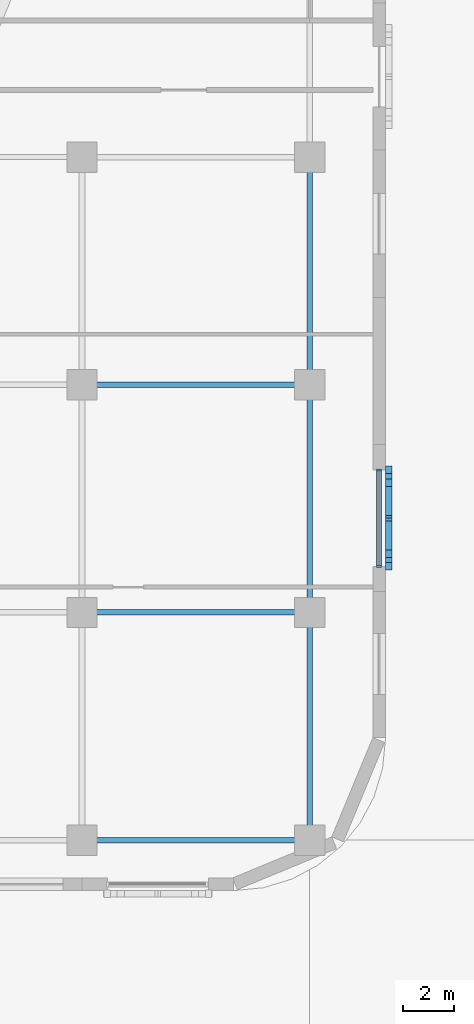
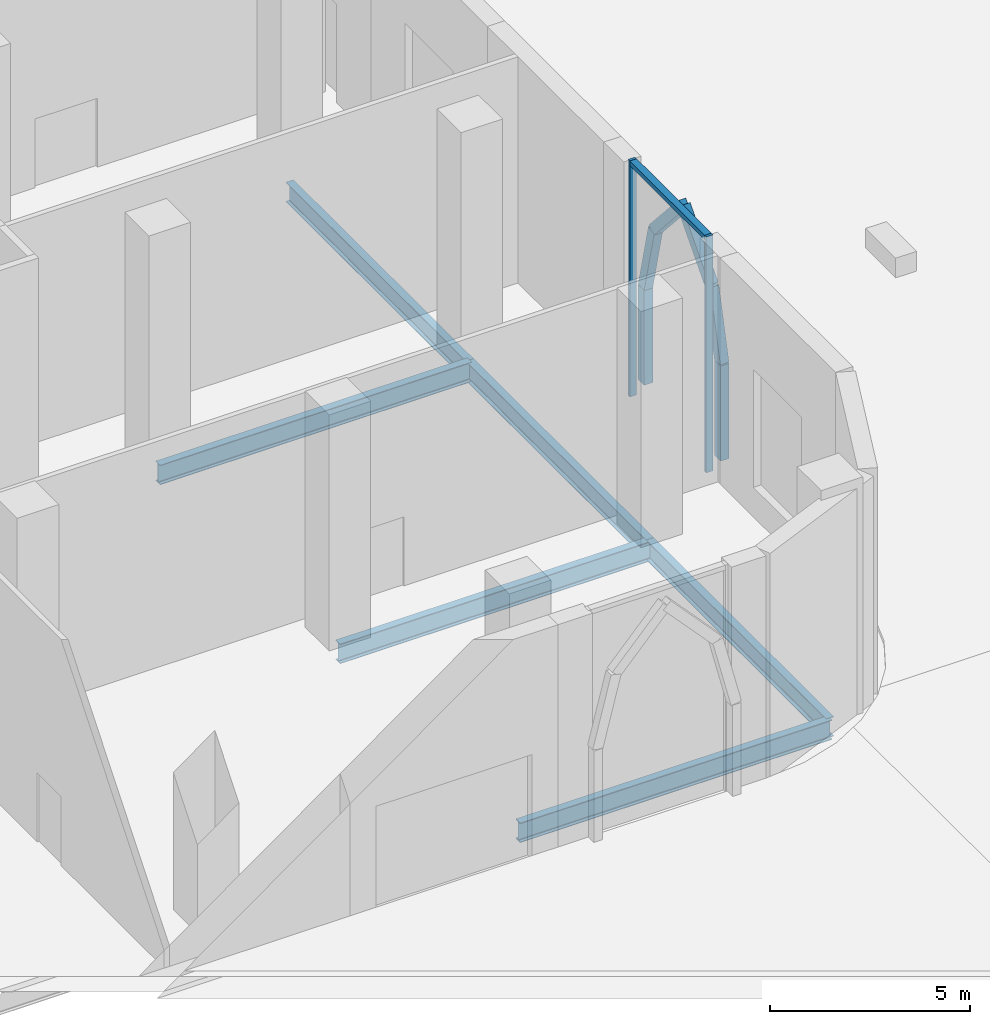
# One storey, part 13 of 48: 9 members, 6 beams, 1 element without a shape of its own.
"""IFC4 building model written with IfcOpenShell, lengths in metres."""

from ifc_helpers import new_model, si_unit, direction, frame, origin, origin_2d, place, context, subcontext, project, spatial, rectangle, i_section, extrude, material, material_profile, profile_set, type_object, element, aggregate, save


model = new_model("IFC4")

# Units and contexts
model_context = context("Model", 3, precision=1e-05, world=origin(), true_north=direction((0.0, 1.0)))
body_context = subcontext(model_context, "Body", "Model", "MODEL_VIEW")
ifc_project = project(units=[si_unit("LENGTHUNIT", "METRE"), si_unit("AREAUNIT", "SQUARE_METRE"), si_unit("VOLUMEUNIT", "CUBIC_METRE"), si_unit("PLANEANGLEUNIT", "RADIAN"), si_unit("MASSUNIT", "GRAM", prefix="KILO")], contexts=[model_context])

# Site, building, storey
site_placement = place(None, origin())
site = spatial("IfcSite", under=ifc_project, at=site_placement, CompositionType="ELEMENT")
building_placement = place(site_placement, origin())
building = spatial("IfcBuilding", under=site, at=building_placement, Name="Ogive Gate Towers", CompositionType="ELEMENT")
storey_placement = place(building_placement, origin())
storey = spatial("IfcBuildingStorey", under=building, at=storey_placement, Name="L00", CompositionType="ELEMENT", Elevation=0.0)

# Members
ifc_material_1 = material(Name="Precast concrete C40/50", Category="concrete")
ifc_material_profile_1 = material_profile(ifc_material_1, rectangle(XDim=0.25, YDim=0.300048828125, at=origin_2d()), Name="250 x 300 cast stone")
ifc_profile_set_1 = profile_set([ifc_material_profile_1], Name="Precast concrete C40/50")
member_type_1 = type_object("IfcMemberType", Name="Arch rib 250 x 300", PredefinedType="USERDEFINED", material=ifc_profile_set_1)
member_1_placement = place(storey_placement, frame((75.125, -25.181884765625, 0.0), z_axis=(0.0, 0.0, 1.0), x_axis=(1.0, 0.0, 0.0)))
element("IfcMember", 1, at=member_1_placement, inside=storey, type_object=member_type_1, Name="Arcade arch rib", ObjectType="ARCH RIB", PredefinedType="USERDEFINED", context=body_context, shape_type="SweptSolid", body=[
    extrude(rectangle(XDim=0.25, YDim=0.300048828125, at=origin_2d()), origin(), (0.0, 0.0, 1.0), 2.89990234375),
])
member_2_placement = place(storey_placement, frame((75.125, -25.181884765625, 2.89990234375), z_axis=(0.0, 0.239949903383, 0.97078527176), x_axis=(-1.0, 0.0, 0.0)))
element("IfcMember", 2, at=member_2_placement, inside=storey, type_object=member_type_1, Name="Arcade arch rib", ObjectType="ARCH RIB", PredefinedType="USERDEFINED", context=body_context, shape_type="SweptSolid", body=[
    extrude(rectangle(XDim=0.25, YDim=0.300048828125, at=origin_2d()), origin(), (0.0, 0.0, 1.0), 2.111328125),
])
member_3_placement = place(storey_placement, frame((75.125, -24.67529296875, 4.949462890625), z_axis=(0.0, 0.664428442697, 0.747351888026), x_axis=(-1.0, 0.0, 0.0)))
element("IfcMember", 3, at=member_3_placement, inside=storey, type_object=member_type_1, Name="Arcade arch rib", ObjectType="ARCH RIB", PredefinedType="USERDEFINED", context=body_context, shape_type="SweptSolid", body=[
    extrude(rectangle(XDim=0.25, YDim=0.300048828125, at=origin_2d()), origin(), (0.0, 0.0, 1.0), 2.111083984375),
])
member_4_placement = place(storey_placement, frame((75.125, -21.363525390625, 0.0), z_axis=(0.0, 0.0, 1.0), x_axis=(1.0, 0.0, 0.0)))
element("IfcMember", 4, at=member_4_placement, inside=storey, type_object=member_type_1, Name="Arcade arch rib", ObjectType="ARCH RIB", PredefinedType="USERDEFINED", context=body_context, shape_type="SweptSolid", body=[
    extrude(rectangle(XDim=0.25, YDim=0.300048828125, at=origin_2d()), origin(), (0.0, 0.0, 1.0), 2.89990234375),
])
member_5_placement = place(storey_placement, frame((75.125, -21.363525390625, 2.89990234375), z_axis=(0.0, -0.239949903383, 0.97078527176), x_axis=(1.0, 0.0, 0.0)))
element("IfcMember", 5, at=member_5_placement, inside=storey, type_object=member_type_1, Name="Arcade arch rib", ObjectType="ARCH RIB", PredefinedType="USERDEFINED", context=body_context, shape_type="SweptSolid", body=[
    extrude(rectangle(XDim=0.25, YDim=0.300048828125, at=origin_2d()), origin(), (0.0, 0.0, 1.0), 2.111328125),
])
member_6_placement = place(storey_placement, frame((75.125, -21.8701171875, 4.949462890625), z_axis=(0.0, -0.664428442697, 0.747351888026), x_axis=(1.0, 0.0, 0.0)))
element("IfcMember", 6, at=member_6_placement, inside=storey, type_object=member_type_1, Name="Arcade arch rib", ObjectType="ARCH RIB", PredefinedType="USERDEFINED", context=body_context, shape_type="SweptSolid", body=[
    extrude(rectangle(XDim=0.25, YDim=0.300048828125, at=origin_2d()), origin(), (0.0, 0.0, 1.0), 2.111083984375),
])

# Beams
ifc_material_2 = material(Name="Steel SM355", Category="steel")
ifc_material_profile_2 = material_profile(ifc_material_2, i_section(OverallWidth=0.219970703125, OverallDepth=0.60009765625, WebThickness=0.011962890625, FlangeThickness=0.01904296875, FilletRadius=0.02392578125, at=origin_2d()), Name="IPE 600")
ifc_profile_set_2 = profile_set([ifc_material_profile_2], Name="Steel SM355")
beam_type = type_object("IfcBeamType", Name="Floor beam IPE 600", PredefinedType="BEAM", material=ifc_profile_set_2)
for number, where, z_axis, x_axis, name in (
    (7, (72.0, -36.0, -0.60009765625), (0.0, 1.0, 0.0), (-1.0, 0.0, 0.0), "PD/L00/SBM065"),
    (8, (72.0, -27.0, -0.60009765625), (0.0, 1.0, 0.0), (-1.0, 0.0, 0.0), "PD/L00/SBM066"),
    (9, (72.0, -18.0, -0.60009765625), (0.0, 1.0, 0.0), (-1.0, 0.0, 0.0), "PD/L00/SBM067"),
    (10, (63.0, -36.0, -0.60009765625), (1.0, 0.0, 0.0), (0.0, 1.0, 0.0), "PD/L00/SBM088"),
    (11, (63.0, -27.0, -0.60009765625), (1.0, 0.0, 0.0), (0.0, 1.0, 0.0), "PD/L00/SBM100"),
    (12, (63.0, -18.0, -0.60009765625), (1.0, 0.0, 0.0), (0.0, 1.0, 0.0), "PD/L00/SBM108"),
):
    element("IfcBeam", number, at=place(storey_placement, frame(where, z_axis=z_axis, x_axis=x_axis)), inside=storey, type_object=beam_type, Name=name, PredefinedType="BEAM", context=body_context, shape_type="SweptSolid", body=[
        extrude(i_section(OverallWidth=0.219970703125, OverallDepth=0.60009765625, WebThickness=0.011962890625, FlangeThickness=0.01904296875, FilletRadius=0.02392578125, at=origin_2d()), origin(), (0.0, 0.0, 1.0), 9.0),
    ])

# Curtain wall, members
ifc_material_3 = material(Name="Pale metal aluminium", Category="aluminium")
curtain_wall_type = type_object("IfcCurtainWallType", Name="Podium glazing", PredefinedType="NOTDEFINED", material=ifc_material_3)
curtain_wall_placement = place(storey_placement, origin())
curtain_wall = element("IfcCurtainWall", 13, at=curtain_wall_placement, inside=storey, type_object=curtain_wall_type, Name="CW6 PD ECW01", PredefinedType="NOTDEFINED")
ifc_material_profile_3 = material_profile(ifc_material_3, rectangle(XDim=0.199951171875, YDim=0.080078125, at=origin_2d()), Name="80 x 200 aluminium box")
ifc_profile_set_3 = profile_set([ifc_material_profile_3], Name="Pale metal aluminium")
member_type_2 = type_object("IfcMemberType", Name="Podium glazing mullion 80 x 200", PredefinedType="MULLION", material=ifc_profile_set_3)
member_7_placement = place(storey_placement, frame((74.75, -25.181884765625, -0.300048828125), z_axis=(0.0, 0.0, 1.0), x_axis=(1.0, 0.0, 0.0)))
member_7 = element("IfcMember", 14, at=member_7_placement, type_object=member_type_2, Name="CW6 mullion", PredefinedType="MULLION", context=body_context, shape_type="SweptSolid", body=[
    extrude(rectangle(XDim=0.199951171875, YDim=0.080078125, at=origin_2d()), origin(), (0.0, 0.0, 1.0), 7.199951171875),
])
member_8_placement = place(storey_placement, frame((74.75, -21.363525390625, -0.300048828125), z_axis=(0.0, 0.0, 1.0), x_axis=(1.0, 0.0, 0.0)))
member_8 = element("IfcMember", 15, at=member_8_placement, type_object=member_type_2, Name="CW6 mullion", PredefinedType="MULLION", context=body_context, shape_type="SweptSolid", body=[
    extrude(rectangle(XDim=0.199951171875, YDim=0.080078125, at=origin_2d()), origin(), (0.0, 0.0, 1.0), 7.199951171875),
])
ifc_material_profile_4 = material_profile(ifc_material_3, rectangle(XDim=0.199951171875, YDim=0.139892578125, at=origin_2d()), Name="140 x 200 aluminium box")
ifc_profile_set_4 = profile_set([ifc_material_profile_4], Name="Pale metal aluminium")
member_type_3 = type_object("IfcMemberType", Name="Podium glazing transom 140 x 200", PredefinedType="USERDEFINED", material=ifc_profile_set_4)
member_9_placement = place(storey_placement, frame((74.75, -25.141845703125, 6.830078125), z_axis=(0.0, 1.0, 0.0), x_axis=(-1.0, 0.0, 0.0)))
member_9 = element("IfcMember", 16, at=member_9_placement, type_object=member_type_3, Name="CW6 transom", ObjectType="TRANSOM", PredefinedType="USERDEFINED", context=body_context, shape_type="SweptSolid", body=[
    extrude(rectangle(XDim=0.199951171875, YDim=0.139892578125, at=origin_2d()), origin(), (0.0, 0.0, 1.0), 3.73828125),
])
aggregate(curtain_wall, [member_7, member_8, member_9])

save(model, "model.ifc")
